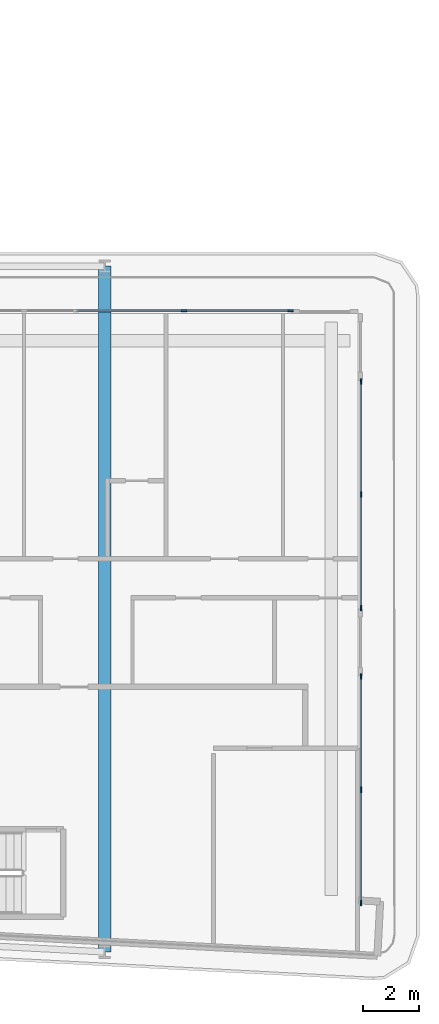
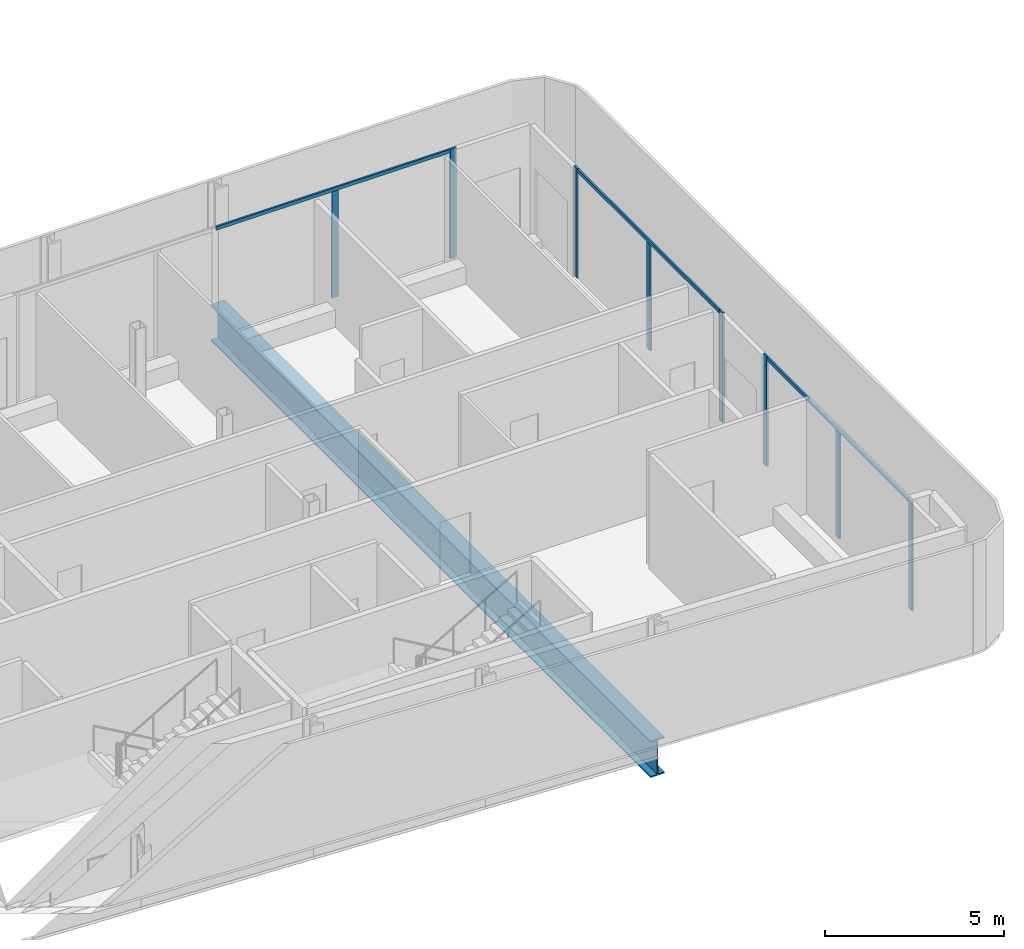
# One storey, part 8 of 28: 11 members, 1 beam, 3 elements without a shape of their own.
"""IFC4 building model written with IfcOpenShell, lengths in metres."""

from ifc_helpers import new_model, si_unit, direction, frame, origin, origin_2d, place, context, subcontext, project, spatial, rectangle, i_section, extrude, material, layer, layer_set, material_profile, profile_set, type_object, element, aggregate, save


model = new_model("IFC4")

# Units and contexts
model_context = context("Model", 3, precision=1e-05, world=origin(), true_north=direction((0.0, 1.0)))
body_context = subcontext(model_context, "Body", "Model", "MODEL_VIEW")
ifc_project = project(units=[si_unit("LENGTHUNIT", "METRE"), si_unit("AREAUNIT", "SQUARE_METRE"), si_unit("VOLUMEUNIT", "CUBIC_METRE"), si_unit("PLANEANGLEUNIT", "RADIAN"), si_unit("MASSUNIT", "GRAM", prefix="KILO")], contexts=[model_context])

# Site, building, storey
site_placement = place(None, origin())
site = spatial("IfcSite", under=ifc_project, at=site_placement, CompositionType="ELEMENT")
building_placement = place(site_placement, origin())
building = spatial("IfcBuilding", under=site, at=building_placement, Name="Kheshtan School and Residences Tower", CompositionType="ELEMENT")
storey_placement = place(building_placement, frame((0.0, 0.0, 94.10009765625)))
storey = spatial("IfcBuildingStorey", under=building, at=storey_placement, Name="L21", CompositionType="ELEMENT", Elevation=94.10009765625)

# Curtain wall, members
ifc_material_1 = material(Name="Clear low-e glass in thermally broken aluminium frame", Category="aluminium")
ifc_layer = layer(ifc_material_1, 0.199951171875)
ifc_layer_set = layer_set([ifc_layer], Name="Curtain wall CW-L")
curtain_wall_type = type_object("IfcCurtainWallType", Name="Curtain wall CW-L", PredefinedType="NOTDEFINED", material=ifc_layer_set)
curtain_wall_1_placement = place(storey_placement, origin())
curtain_wall_1 = element("IfcCurtainWall", 1, at=curtain_wall_1_placement, inside=storey, type_object=curtain_wall_type, Name="Curtain wall CWL8", PredefinedType="NOTDEFINED")
ifc_material_2 = material(Name="Thermally broken aluminium, dark bronze anodised", Category="aluminium")
ifc_material_profile_1 = material_profile(ifc_material_2, rectangle(XDim=0.06005859375, YDim=0.199951171875, at=origin_2d()), Name="CW-L mullion 60x200")
ifc_profile_set_1 = profile_set([ifc_material_profile_1], Name="Thermally broken aluminium, dark bronze anodised")
member_type_1 = type_object("IfcMemberType", Name="CW-L mullion 60x200", PredefinedType="MULLION", material=ifc_profile_set_1)
member_1_placement = place(storey_placement, frame((93.653076171875, 44.0, 0.0), z_axis=(0.0, 0.0, 1.0), x_axis=(0.0, 1.0, 0.0)))
member_1 = element("IfcMember", 2, at=member_1_placement, type_object=member_type_1, Name="CWL8 mullion 2", PredefinedType="MULLION", context=body_context, shape_type="SweptSolid", body=[
    extrude(rectangle(XDim=0.06005859375, YDim=0.199951171875, at=origin_2d()), origin(), (0.0, 0.0, 1.0), 3.6298828125),
])
member_2_placement = place(storey_placement, frame((97.469970703125, 44.0, 0.0), z_axis=(0.0, 0.0, 1.0), x_axis=(0.0, 1.0, 0.0)))
member_2 = element("IfcMember", 3, at=member_2_placement, type_object=member_type_1, Name="CWL8 mullion 3", PredefinedType="MULLION", context=body_context, shape_type="SweptSolid", body=[
    extrude(rectangle(XDim=0.06005859375, YDim=0.199951171875, at=origin_2d()), origin(), (0.0, 0.0, 1.0), 3.75),
])

curtain_wall_2_placement = place(storey_placement, origin())
curtain_wall_2 = element("IfcCurtainWall", 4, at=curtain_wall_2_placement, inside=storey, type_object=curtain_wall_type, Name="Curtain wall CWL9", PredefinedType="NOTDEFINED")
member_3_placement = place(storey_placement, frame((100.0, 41.469970703125, 0.0), z_axis=(0.0, 0.0, 1.0), x_axis=(1.0, 0.0, 0.0)))
member_3 = element("IfcMember", 5, at=member_3_placement, type_object=member_type_1, Name="CWL9 mullion 1", PredefinedType="MULLION", context=body_context, shape_type="SweptSolid", body=[
    extrude(rectangle(XDim=0.06005859375, YDim=0.199951171875, at=origin_2d()), origin(), (0.0, 0.0, 1.0), 3.75),
])
member_4_placement = place(storey_placement, frame((100.0, 37.403564453125, 0.0), z_axis=(0.0, 0.0, 1.0), x_axis=(1.0, 0.0, 0.0)))
member_4 = element("IfcMember", 6, at=member_4_placement, type_object=member_type_1, Name="CWL9 mullion 2", PredefinedType="MULLION", context=body_context, shape_type="SweptSolid", body=[
    extrude(rectangle(XDim=0.06005859375, YDim=0.199951171875, at=origin_2d()), origin(), (0.0, 0.0, 1.0), 3.6298828125),
])
member_5_placement = place(storey_placement, frame((100.0, 33.3369140625, 0.0), z_axis=(0.0, 0.0, 1.0), x_axis=(1.0, 0.0, 0.0)))
member_5 = element("IfcMember", 7, at=member_5_placement, type_object=member_type_1, Name="CWL9 mullion 3", PredefinedType="MULLION", context=body_context, shape_type="SweptSolid", body=[
    extrude(rectangle(XDim=0.06005859375, YDim=0.199951171875, at=origin_2d()), origin(), (0.0, 0.0, 1.0), 3.75),
])

curtain_wall_3_placement = place(storey_placement, origin())
curtain_wall_3 = element("IfcCurtainWall", 8, at=curtain_wall_3_placement, inside=storey, type_object=curtain_wall_type, Name="Curtain wall CWL9", PredefinedType="NOTDEFINED")
member_6_placement = place(storey_placement, frame((100.0, 30.876953125, 0.0), z_axis=(0.0, 0.0, 1.0), x_axis=(1.0, 0.0, 0.0)))
member_6 = element("IfcMember", 9, at=member_6_placement, type_object=member_type_1, Name="CWL9 mullion 1", PredefinedType="MULLION", context=body_context, shape_type="SweptSolid", body=[
    extrude(rectangle(XDim=0.06005859375, YDim=0.199951171875, at=origin_2d()), origin(), (0.0, 0.0, 1.0), 3.75),
])
member_7_placement = place(storey_placement, frame((100.0, 26.810546875, 0.0), z_axis=(0.0, 0.0, 1.0), x_axis=(1.0, 0.0, 0.0)))
member_7 = element("IfcMember", 10, at=member_7_placement, type_object=member_type_1, Name="CWL9 mullion 2", PredefinedType="MULLION", context=body_context, shape_type="SweptSolid", body=[
    extrude(rectangle(XDim=0.06005859375, YDim=0.199951171875, at=origin_2d()), origin(), (0.0, 0.0, 1.0), 3.6298828125),
])
member_8_placement = place(storey_placement, frame((100.0, 22.743896484375, 0.0), z_axis=(0.0, 0.0, 1.0), x_axis=(1.0, 0.0, 0.0)))
member_8 = element("IfcMember", 11, at=member_8_placement, type_object=member_type_1, Name="CWL9 mullion 3", PredefinedType="MULLION", context=body_context, shape_type="SweptSolid", body=[
    extrude(rectangle(XDim=0.06005859375, YDim=0.199951171875, at=origin_2d()), origin(), (0.0, 0.0, 1.0), 3.75),
])

# Member
ifc_material_profile_2 = material_profile(ifc_material_2, rectangle(XDim=0.06005859375, YDim=0.1201171875, at=origin_2d()), Name="CW-L transom 60x120")
ifc_profile_set_2 = profile_set([ifc_material_profile_2], Name="Thermally broken aluminium, dark bronze anodised")
member_type_2 = type_object("IfcMemberType", Name="CW-L transom 60x120", PredefinedType="USERDEFINED", material=ifc_profile_set_2)
member_9_placement = place(storey_placement, frame((89.805908203125, 44.0, 3.68994140625), z_axis=(1.0, 0.0, 0.0), x_axis=(0.0, 1.0, 0.0)))
member_9 = element("IfcMember", 12, at=member_9_placement, type_object=member_type_2, Name="CWL8 transom 1", ObjectType="TRANSOM", PredefinedType="USERDEFINED", context=body_context, shape_type="SweptSolid", body=[
    extrude(rectangle(XDim=0.06005859375, YDim=0.1201171875, at=origin_2d()), origin(), (0.0, 0.0, 1.0), 7.634033203125),
])

aggregate(curtain_wall_1, [member_1, member_2, member_9])

member_10_placement = place(storey_placement, frame((100.0, 41.43994140625, 3.68994140625), z_axis=(0.0, -1.0, 0.0), x_axis=(1.0, 0.0, 0.0)))
member_10 = element("IfcMember", 13, at=member_10_placement, type_object=member_type_2, Name="CWL9 transom 1", ObjectType="TRANSOM", PredefinedType="USERDEFINED", context=body_context, shape_type="SweptSolid", body=[
    extrude(rectangle(XDim=0.06005859375, YDim=0.1201171875, at=origin_2d()), origin(), (0.0, 0.0, 1.0), 8.072998046875),
])

aggregate(curtain_wall_2, [member_3, member_4, member_5, member_10])

member_11_placement = place(storey_placement, frame((100.0, 30.846923828125, 3.68994140625), z_axis=(0.0, -1.0, 0.0), x_axis=(1.0, 0.0, 0.0)))
member_11 = element("IfcMember", 14, at=member_11_placement, type_object=member_type_2, Name="CWL9 transom 1", ObjectType="TRANSOM", PredefinedType="USERDEFINED", context=body_context, shape_type="SweptSolid", body=[
    extrude(rectangle(XDim=0.06005859375, YDim=0.1201171875, at=origin_2d()), origin(), (0.0, 0.0, 1.0), 8.072998046875),
])

aggregate(curtain_wall_3, [member_6, member_7, member_8, member_11])

# Beam
ifc_material_3 = material(Name="Steel ASTM A992 Grade 50", Category="steel")
ifc_material_profile_3 = material_profile(ifc_material_3, i_section(OverallWidth=0.449951171875, OverallDepth=1.25, WebThickness=0.02490234375, FlangeThickness=0.044921875, FilletRadius=0.03759765625, at=origin_2d()), Name="WWF1250x546")
ifc_profile_set_3 = profile_set([ifc_material_profile_3], Name="Steel ASTM A992 Grade 50")
beam_type = type_object("IfcBeamType", Name="Transfer girder TG4 WWF1250x546 ASTM A992 Grade 50", PredefinedType="BEAM", material=ifc_profile_set_3)
beam_placement = place(storey_placement, frame((90.800048828125, 45.60009765625, -0.775146484375), z_axis=(0.0, -1.0, 0.0), x_axis=(1.0, 0.0, 0.0)))
element("IfcBeam", 15, at=beam_placement, inside=storey, type_object=beam_type, Name="Transfer girder C068-C006", PredefinedType="BEAM", context=body_context, shape_type="SweptSolid", body=[
    extrude(i_section(OverallWidth=0.449951171875, OverallDepth=1.25, WebThickness=0.02490234375, FlangeThickness=0.044921875, FilletRadius=0.03759765625, at=origin_2d()), origin(), (0.0, 0.0, 1.0), 24.610107421875),
])

save(model, "model.ifc")
